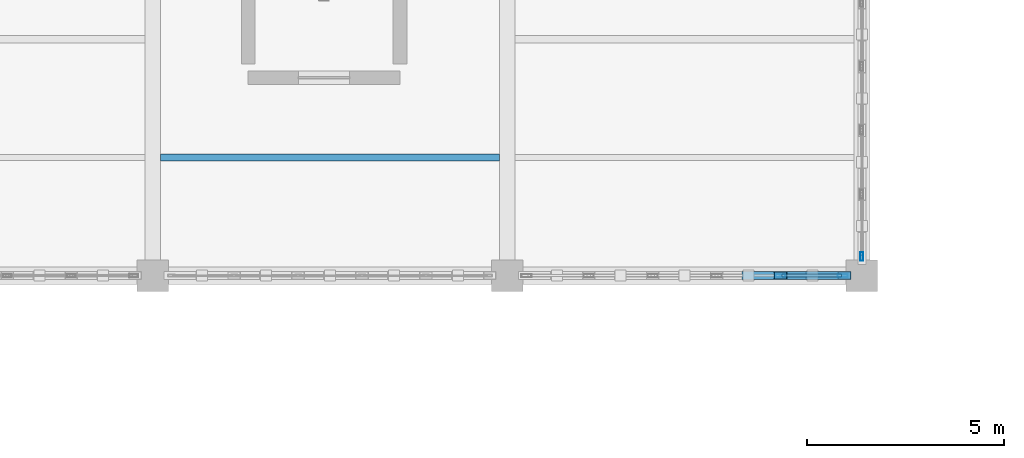
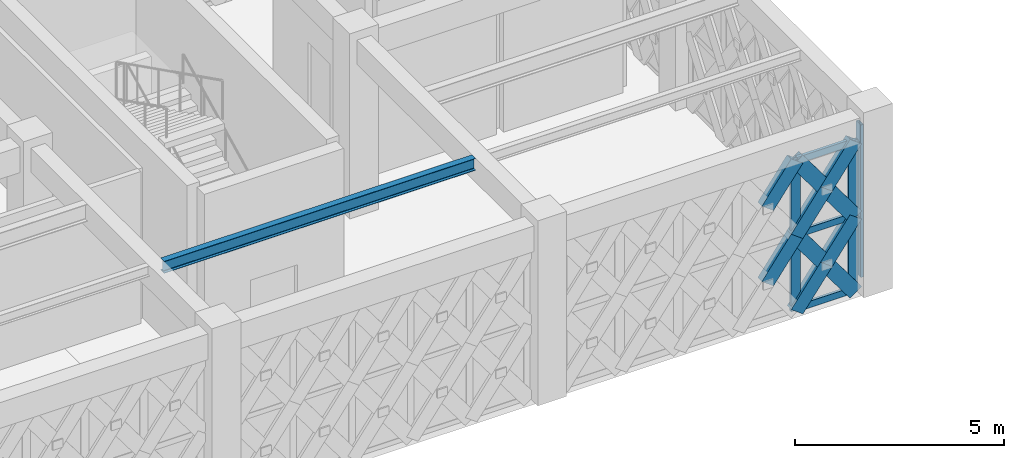
# One storey, part 40 of 86: 14 members, 1 beam, 2 elements without a shape of their own.
"""IFC4 building model written with IfcOpenShell, lengths in metres."""

from ifc_helpers import new_model, si_unit, direction, frame, origin, origin_2d, place, context, subcontext, project, spatial, hollow_rectangle, i_section, extrude, material, material_profile, profile_set, type_object, element, aggregate, save


model = new_model("IFC4")

# Units and contexts
model_context = context("Model", 3, precision=1e-05, world=origin(), true_north=direction((0.0, 1.0)))
body_context = subcontext(model_context, "Body", "Model", "MODEL_VIEW")
ifc_project = project(units=[si_unit("LENGTHUNIT", "METRE"), si_unit("AREAUNIT", "SQUARE_METRE"), si_unit("VOLUMEUNIT", "CUBIC_METRE"), si_unit("PLANEANGLEUNIT", "RADIAN"), si_unit("MASSUNIT", "GRAM", prefix="KILO")], contexts=[model_context])

# Site, building, storey
site_placement = place(None, origin())
site = spatial("IfcSite", under=ifc_project, at=site_placement, CompositionType="ELEMENT")
building_placement = place(site_placement, origin())
building = spatial("IfcBuilding", under=site, at=building_placement, Name="Haizhuo Lancet Aquarium", CompositionType="ELEMENT")
storey_placement = place(building_placement, frame((0.0, 0.0, 16.199951171875)))
storey = spatial("IfcBuildingStorey", under=building, at=storey_placement, Name="L03", CompositionType="ELEMENT", Elevation=16.199951171875)

# Curtain wall, member
ifc_material_1 = material(Name="Aluminium 6063-T6", Category="aluminium")
curtain_wall_type_1 = type_object("IfcCurtainWallType", Name="CWD-8110x4450", PredefinedType="NOTDEFINED", material=ifc_material_1)
curtain_wall_1_placement = place(storey_placement, origin())
curtain_wall_1 = element("IfcCurtainWall", 1, at=curtain_wall_1_placement, inside=storey, type_object=curtain_wall_type_1, Name="L03 curtain wall CW-V5-L03-167", PredefinedType="NOTDEFINED")
ifc_material_profile_1 = material_profile(ifc_material_1, hollow_rectangle(XDim=0.074951171875, YDim=0.219970703125, WallThickness=0.0048828125, at=origin_2d()), Name="ALU-M 75x220x5")
ifc_profile_set_1 = profile_set([ifc_material_profile_1], Name="Aluminium 6063-T6")
member_type_1 = type_object("IfcMemberType", Name="CW-MUL-2", PredefinedType="MULLION", material=ifc_profile_set_1)
member_1_placement = place(storey_placement, frame((27.0, 36.48291015625, 0.0), z_axis=(0.0, 0.0, 1.0), x_axis=(1.0, 0.0, 0.0)))
member_1 = element("IfcMember", 2, at=member_1_placement, type_object=member_type_1, Name="CWD-81x44 mullion 6", PredefinedType="MULLION", context=body_context, shape_type="SweptSolid", body=[
    extrude(hollow_rectangle(XDim=0.074951171875, YDim=0.219970703125, WallThickness=0.0048828125, at=origin_2d()), origin(), (0.0, 0.0, 1.0), 4.449951171875),
])
aggregate(curtain_wall_1, [member_1])

# Curtain wall, members
curtain_wall_type_2 = type_object("IfcCurtainWallType", Name="CWD-8110x4400", PredefinedType="NOTDEFINED", material=ifc_material_1)
curtain_wall_2_placement = place(storey_placement, origin())
curtain_wall_2 = element("IfcCurtainWall", 3, at=curtain_wall_2_placement, inside=storey, type_object=curtain_wall_type_2, Name="L03 curtain wall CW-V5-L03-168", PredefinedType="NOTDEFINED")
ifc_material_profile_2 = material_profile(ifc_material_1, hollow_rectangle(XDim=0.080078125, YDim=0.260009765625, WallThickness=0.0048828125, at=origin_2d()), Name="ALU-M 80x260x5")
ifc_profile_set_2 = profile_set([ifc_material_profile_2], Name="Aluminium 6063-T6")
member_type_2 = type_object("IfcMemberType", Name="CW-MUL-3", PredefinedType="MULLION", material=ifc_profile_set_2)
member_2_placement = place(storey_placement, frame((26.514892578125, 36.0, 0.0), z_axis=(0.0, 0.0, 1.0), x_axis=(0.0, -1.0, 0.0)))
member_2 = element("IfcMember", 4, at=member_2_placement, type_object=member_type_2, Name="CWD-81x44 mullion 1", PredefinedType="MULLION", context=body_context, shape_type="SweptSolid", body=[
    extrude(hollow_rectangle(XDim=0.080078125, YDim=0.260009765625, WallThickness=0.0048828125, at=origin_2d()), origin(), (0.0, 0.0, 1.0), 4.400146484375),
])
member_3_placement = place(storey_placement, frame((24.93310546875, 36.0, 0.0), z_axis=(0.0, 0.0, 1.0), x_axis=(0.0, -1.0, 0.0)))
member_3 = element("IfcMember", 5, at=member_3_placement, type_object=member_type_2, Name="CWD-81x44 mullion 2", PredefinedType="MULLION", context=body_context, shape_type="SweptSolid", body=[
    extrude(hollow_rectangle(XDim=0.080078125, YDim=0.260009765625, WallThickness=0.0048828125, at=origin_2d()), origin(), (0.0, 0.0, 1.0), 4.400146484375),
])
ifc_material_profile_3 = material_profile(ifc_material_1, hollow_rectangle(XDim=0.080078125, YDim=0.18994140625, WallThickness=0.0048828125, at=origin_2d()), Name="ALU-T 80x190x5")
ifc_profile_set_3 = profile_set([ifc_material_profile_3], Name="Aluminium 6063-T6")
member_type_3 = type_object("IfcMemberType", Name="CW-TRN-3", PredefinedType="NOTDEFINED", material=ifc_profile_set_3)
member_4_placement = place(storey_placement, frame((26.47509765625, 36.0, 0.0400390625), z_axis=(-1.0, 0.0, 0.0), x_axis=(0.0, -1.0, 0.0)))
member_4 = element("IfcMember", 6, at=member_4_placement, type_object=member_type_3, Name="CWD-81x44 transom 1.1", ObjectType="TRANSOM", PredefinedType="USERDEFINED", context=body_context, shape_type="SweptSolid", body=[
    extrude(hollow_rectangle(XDim=0.080078125, YDim=0.18994140625, WallThickness=0.0048828125, at=origin_2d()), origin(), (0.0, 0.0, 1.0), 1.502197265625),
])
member_5_placement = place(storey_placement, frame((26.47509765625, 36.0, 2.199951171875), z_axis=(-1.0, 0.0, 0.0), x_axis=(0.0, -1.0, 0.0)))
member_5 = element("IfcMember", 7, at=member_5_placement, type_object=member_type_3, Name="CWD-81x44 transom 1.2", ObjectType="TRANSOM", PredefinedType="USERDEFINED", context=body_context, shape_type="SweptSolid", body=[
    extrude(hollow_rectangle(XDim=0.080078125, YDim=0.18994140625, WallThickness=0.0048828125, at=origin_2d()), origin(), (0.0, 0.0, 1.0), 1.502197265625),
])
member_6_placement = place(storey_placement, frame((26.47509765625, 36.0, 4.360107421875), z_axis=(-1.0, 0.0, 0.0), x_axis=(0.0, -1.0, 0.0)))
member_6 = element("IfcMember", 8, at=member_6_placement, type_object=member_type_3, Name="CWD-81x44 transom 1.3", ObjectType="TRANSOM", PredefinedType="USERDEFINED", context=body_context, shape_type="SweptSolid", body=[
    extrude(hollow_rectangle(XDim=0.080078125, YDim=0.18994140625, WallThickness=0.0048828125, at=origin_2d()), origin(), (0.0, 0.0, 1.0), 1.502197265625),
])
aggregate(curtain_wall_2, [member_2, member_3, member_4, member_5, member_6])

# Beam
ifc_material_2 = material(Name="Steel S355", Category="steel")
ifc_material_profile_4 = material_profile(ifc_material_2, i_section(OverallWidth=0.175048828125, OverallDepth=0.35009765625, WebThickness=0.007080078125, FlangeThickness=0.010986328125, FilletRadius=0.013916015625, at=origin_2d()), Name="HN 350x175x7x11")
ifc_profile_set_4 = profile_set([ifc_material_profile_4], Name="Steel S355")
beam_type = type_object("IfcBeamType", Name="JST-ST-HN350", PredefinedType="JOIST", material=ifc_profile_set_4)
beam_placement = place(storey_placement, frame((9.199951171875, 39.0, 4.97509765625), z_axis=(1.0, 0.0, 0.0), x_axis=(0.0, 1.0, 0.0)))
element("IfcBeam", 9, at=beam_placement, inside=storey, type_object=beam_type, Name="L03 V5 secondary floor joist 14", PredefinedType="JOIST", context=body_context, shape_type="SweptSolid", body=[
    extrude(i_section(OverallWidth=0.175048828125, OverallDepth=0.35009765625, WebThickness=0.007080078125, FlangeThickness=0.010986328125, FilletRadius=0.013916015625, at=origin_2d()), origin(), (0.0, 0.0, 1.0), 8.60009765625),
])

# Members
ifc_material_profile_5 = material_profile(ifc_material_2, hollow_rectangle(XDim=0.199951171875, YDim=0.39990234375, WallThickness=0.011962890625, at=origin_2d()), Name="RHS 200x400x12")
ifc_profile_set_5 = profile_set([ifc_material_profile_5], Name="Steel S355")
member_type_4 = type_object("IfcMemberType", Name="MEM-LB-RHS200x400", PredefinedType="BRACE", material=ifc_profile_set_5)
member_7_placement = place(storey_placement, frame((26.554931640625, 36.0, 0.0), z_axis=(-0.593390983354, 0.0, 0.804914368659), x_axis=(0.0, -1.0, 0.0)))
element("IfcMember", 10, at=member_7_placement, inside=storey, type_object=member_type_4, Name="Gothic lancet continuous diagonal brace CW-V5-L03-168 1A", PredefinedType="BRACE", context=body_context, shape_type="SweptSolid", body=[
    extrude(hollow_rectangle(XDim=0.199951171875, YDim=0.39990234375, WallThickness=0.011962890625, at=origin_2d()), origin(), (0.0, 0.0, 1.0), 2.733154296875),
])
member_8_placement = place(storey_placement, frame((24.93310546875, 36.0, 0.0), z_axis=(0.593290443054, 0.0, 0.80498847829), x_axis=(0.0, 1.0, 0.0)))
element("IfcMember", 11, at=member_8_placement, inside=storey, type_object=member_type_4, Name="Gothic lancet split diagonal brace CW-V5-L03-168 1B1", PredefinedType="BRACE", context=body_context, shape_type="SweptSolid", body=[
    extrude(hollow_rectangle(XDim=0.199951171875, YDim=0.39990234375, WallThickness=0.011962890625, at=origin_2d()), origin(), (0.0, 0.0, 1.0), 1.36669921875),
])
member_9_placement = place(storey_placement, frame((25.743896484375, 36.0, 1.10009765625), z_axis=(0.593491518195, 0.0, 0.80484024367), x_axis=(0.0, 1.0, 0.0)))
element("IfcMember", 12, at=member_9_placement, inside=storey, type_object=member_type_4, Name="Gothic lancet split diagonal brace CW-V5-L03-168 1B2", PredefinedType="BRACE", context=body_context, shape_type="SweptSolid", body=[
    extrude(hollow_rectangle(XDim=0.199951171875, YDim=0.39990234375, WallThickness=0.011962890625, at=origin_2d()), origin(), (0.0, 0.0, 1.0), 1.366455078125),
])
member_10_placement = place(storey_placement, frame((26.554931640625, 36.0, 2.199951171875), z_axis=(-0.593348321024, 0.0, 0.804945818014), x_axis=(0.0, -1.0, 0.0)))
element("IfcMember", 13, at=member_10_placement, inside=storey, type_object=member_type_4, Name="Gothic lancet continuous diagonal brace CW-V5-L03-168 2A", PredefinedType="BRACE", context=body_context, shape_type="SweptSolid", body=[
    extrude(hollow_rectangle(XDim=0.199951171875, YDim=0.39990234375, WallThickness=0.011962890625, at=origin_2d()), origin(), (0.0, 0.0, 1.0), 2.7333984375),
])
for number, where, z_axis, x_axis, name in (
    (14, (24.93310546875, 36.0, 2.199951171875), (0.593290443054, 0.0, 0.80498847829), (0.0, 1.0, 0.0), "Gothic lancet split diagonal brace CW-V5-L03-168 2B1"),
    (15, (25.743896484375, 36.0, 3.300048828125), (0.593406189792, 0.0, 0.804903158098), (0.0, 1.0, 0.0), "Gothic lancet split diagonal brace CW-V5-L03-168 2B2"),
):
    element("IfcMember", number, at=place(storey_placement, frame(where, z_axis=z_axis, x_axis=x_axis)), inside=storey, type_object=member_type_4, Name=name, PredefinedType="BRACE", context=body_context, shape_type="SweptSolid", body=[
        extrude(hollow_rectangle(XDim=0.199951171875, YDim=0.39990234375, WallThickness=0.011962890625, at=origin_2d()), origin(), (0.0, 0.0, 1.0), 1.36669921875),
    ])
member_11_placement = place(storey_placement, frame((24.1220703125, 36.0, 1.10009765625), z_axis=(0.593491518195, 0.0, 0.80484024367), x_axis=(0.0, 1.0, 0.0)))
element("IfcMember", 16, at=member_11_placement, inside=storey, type_object=member_type_4, Name="Gothic lancet split diagonal brace CW-V5-L03-168 3B2", PredefinedType="BRACE", context=body_context, shape_type="SweptSolid", body=[
    extrude(hollow_rectangle(XDim=0.199951171875, YDim=0.39990234375, WallThickness=0.011962890625, at=origin_2d()), origin(), (0.0, 0.0, 1.0), 1.366455078125),
])
member_12_placement = place(storey_placement, frame((24.1220703125, 36.0, 3.300048828125), z_axis=(0.593406189792, 0.0, 0.804903158098), x_axis=(0.0, 1.0, 0.0)))
element("IfcMember", 17, at=member_12_placement, inside=storey, type_object=member_type_4, Name="Gothic lancet split diagonal brace CW-V5-L03-168 4B2", PredefinedType="BRACE", context=body_context, shape_type="SweptSolid", body=[
    extrude(hollow_rectangle(XDim=0.199951171875, YDim=0.39990234375, WallThickness=0.011962890625, at=origin_2d()), origin(), (0.0, 0.0, 1.0), 1.36669921875),
])

save(model, "model.ifc")
